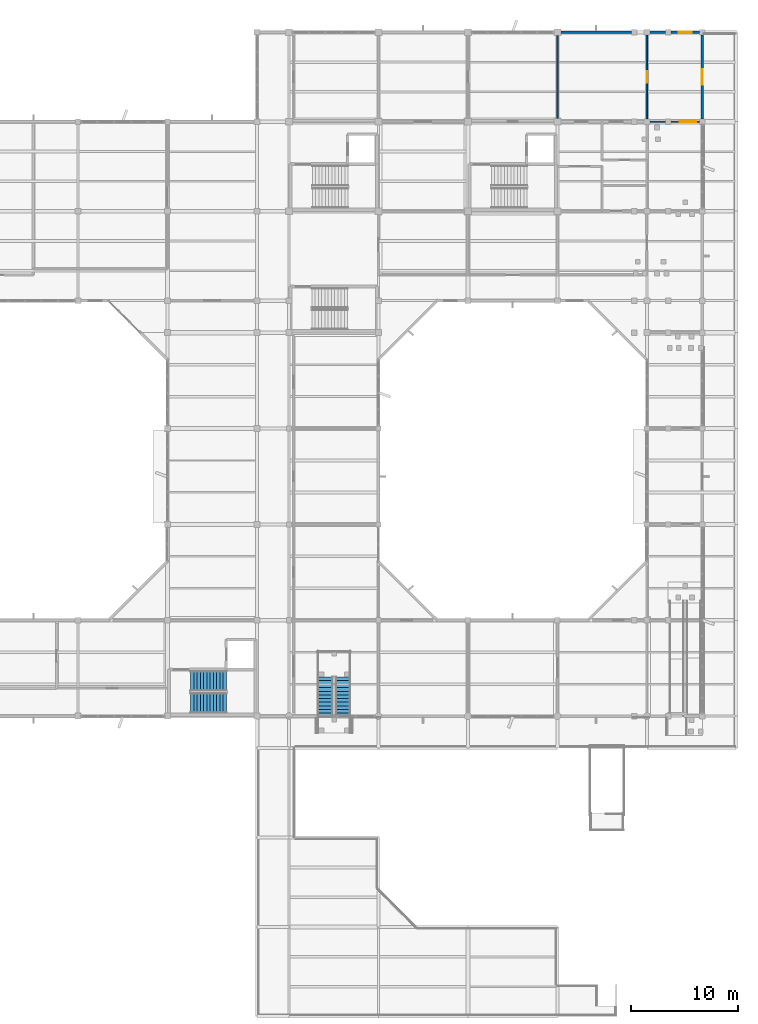
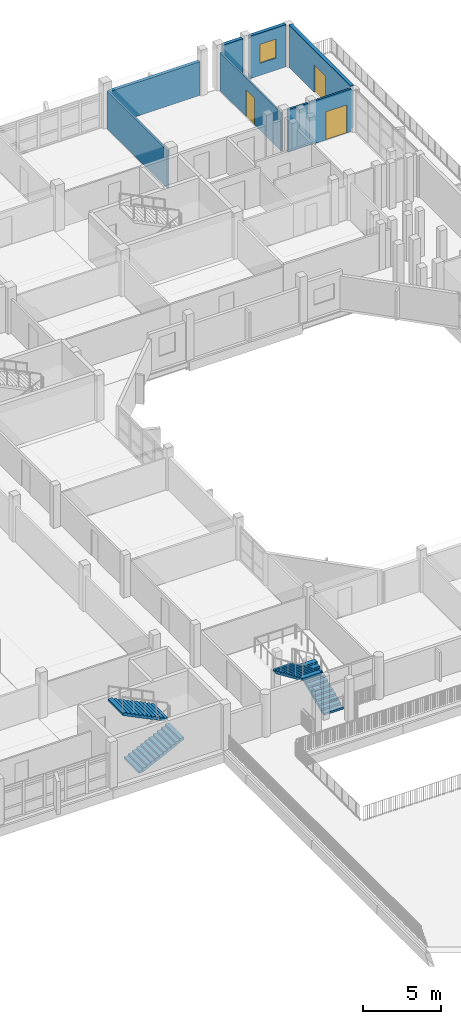
# One storey, part 34 of 51: 7 walls, 4 stair flights, 3 doors, 1 window, 4 openings, 2 elements without a shape of their own.
"""IFC4 building model written with IfcOpenShell, lengths in metres."""

import ifcopenshell
import ifcopenshell.guid

model = None  # the IFC model being written
_history = None  # IfcOwnerHistory: only IFC2X3 demands one
_inside = {}  # id of a spatial element -> (the spatial element, [elements in it])
_under = {}  # id of a project, library or spatial element -> (it, [spatial elements below it])
_declared = {}  # id of a project -> (the project, [libraries it declares])
_typed = {}  # id of a type object -> (the type object, [elements of that type])
_made_of = {}  # id of a material, layer set ... -> (it, [elements and type objects made of it])


def new_model(schema):
    """Start an empty IFC model of exactly this schema.

    Asked for "IFC4X3", IfcOpenShell would pick the latest addendum, in which some entities
    have other attributes; the version numbers below select the first issue.
    IFC2X3 requires an IfcOwnerHistory on every rooted entity: one is made here for all.
    """
    global model, _history
    if schema == "IFC4X3":
        model = ifcopenshell.file(schema_version=(4, 3, 0, 0))
    else:
        model = ifcopenshell.file(schema=schema)
    _inside.clear()
    _under.clear()
    _declared.clear()
    _typed.clear()
    _made_of.clear()
    _history = None
    if model.schema == "IFC2X3":
        org = make("IfcOrganization", Name="unknown")
        user = make(
            "IfcPersonAndOrganization",
            ThePerson=make("IfcPerson", FamilyName="unknown"),
            TheOrganization=org,
        )
        app = make(
            "IfcApplication",
            ApplicationDeveloper=org,
            Version="unknown",
            ApplicationFullName="unknown",
            ApplicationIdentifier="unknown",
        )
        _history = make(
            "IfcOwnerHistory",
            OwningUser=user,
            OwningApplication=app,
            ChangeAction="ADDED",
            CreationDate=0,
        )
    return model


def make(cls, **values):
    """One entity of the class cls with the attributes given. An attribute that is None is left unset."""
    return model.create_entity(
        cls, **{name: value for name, value in values.items() if value is not None}
    )


def rooted(cls, **values):
    """An entity with a GlobalId (a new one), such as an element, a storey or a relation."""
    return make(cls, GlobalId=ifcopenshell.guid.new(), OwnerHistory=_history, **values)


def si_unit(unit_type, name, prefix=None):
    """IfcSIUnit, for example si_unit("LENGTHUNIT", "METRE", prefix="MILLI")."""
    return make("IfcSIUnit", UnitType=unit_type, Prefix=prefix, Name=name)


def assignment(units):
    """IfcUnitAssignment: the units of a project."""
    return None if units is None else make("IfcUnitAssignment", Units=units)


def point(xyz):
    """IfcCartesianPoint."""
    return None if xyz is None else make("IfcCartesianPoint", Coordinates=xyz)


def direction(xyz):
    """IfcDirection."""
    return None if xyz is None else make("IfcDirection", DirectionRatios=xyz)


def frame(location, z_axis=None, x_axis=None):
    """IfcAxis2Placement3D, a coordinate frame: its origin and axes. An axis left out is left unset."""
    return make(
        "IfcAxis2Placement3D",
        Location=point(location),
        Axis=direction(z_axis),
        RefDirection=direction(x_axis),
    )


def frame_2d(location, x_axis=None):
    """IfcAxis2Placement2D, a coordinate frame in the plane: its origin and x axis."""
    return make(
        "IfcAxis2Placement2D", Location=point(location), RefDirection=direction(x_axis)
    )


def origin():
    """The frame at (0, 0, 0) with its axes left unset."""
    return frame((0.0, 0.0, 0.0))


def place(relative_to, where):
    """IfcLocalPlacement: puts the frame where relative to a parent placement (None: the world)."""
    return make(
        "IfcLocalPlacement", PlacementRelTo=relative_to, RelativePlacement=where
    )


def context(
    kind, dimensions, precision=None, world=None, true_north=None, identifier=None
):
    """IfcGeometricRepresentationContext, for example the 3D "Model" context."""
    return make(
        "IfcGeometricRepresentationContext",
        ContextIdentifier=identifier,
        ContextType=kind,
        CoordinateSpaceDimension=dimensions,
        Precision=precision,
        WorldCoordinateSystem=world,
        TrueNorth=true_north,
    )


def subcontext(parent, identifier, kind, view, scale=None):
    """IfcGeometricRepresentationSubContext, for example "Body" below "Model"."""
    return make(
        "IfcGeometricRepresentationSubContext",
        ContextIdentifier=identifier,
        ContextType=kind,
        ParentContext=parent,
        TargetScale=scale,
        TargetView=view,
    )


def project(units=None, contexts=None):
    """IfcProject with its units and contexts."""
    return rooted(
        "IfcProject",
        Name="project",
        RepresentationContexts=contexts,
        UnitsInContext=assignment(units),
    )


def spatial(cls, under=None, at=None, **own):
    """A site, building, storey or space (cls), placed at a placement, below another one or the project."""
    s = rooted(cls, ObjectPlacement=at, **own)
    if under is not None:
        _under.setdefault(under.id(), (under, []))[1].append(s)
    return s


def polyline(points):
    """IfcPolyline through the points."""
    return make("IfcPolyline", Points=[point(p) for p in points])


def profile(cls, at=None, kind="AREA", **sizes):
    """A parametric profile (cls). Its sizes go by their IFC names, for example OverallWidth=200.0."""
    return make(cls, ProfileType=kind, Position=at, **sizes)


def rectangle(**sizes):
    """IfcRectangleProfileDef."""
    return profile("IfcRectangleProfileDef", **sizes)


def outline(outer, holes=None, kind="AREA"):
    """IfcArbitraryClosedProfileDef: a profile drawn as a closed curve; with holes, ...WithVoids."""
    if holes is None:
        return make("IfcArbitraryClosedProfileDef", ProfileType=kind, OuterCurve=outer)
    return make(
        "IfcArbitraryProfileDefWithVoids",
        ProfileType=kind,
        OuterCurve=outer,
        InnerCurves=holes,
    )


def extrude(swept, where, along, depth):
    """IfcExtrudedAreaSolid: the profile swept, set in the frame where, extruded along a direction by depth."""
    return make(
        "IfcExtrudedAreaSolid",
        SweptArea=swept,
        Position=where,
        ExtrudedDirection=direction(along),
        Depth=depth,
    )


def shape(context_of_items, identifier, shape_type, items):
    """IfcShapeRepresentation: the items that make up one representation, for example the "Body"."""
    return make(
        "IfcShapeRepresentation",
        ContextOfItems=context_of_items,
        RepresentationIdentifier=identifier,
        RepresentationType=shape_type,
        Items=items,
    )


def material(Name=None, Category=None):
    """IfcMaterial."""
    return make("IfcMaterial", Name=Name, Category=Category)


def layer(
    of_material, thickness, ventilated=None, Name=None, Category=None, Priority=None
):
    """IfcMaterialLayer: one layer of a wall or slab, of a material (None: an air gap)."""
    return make(
        "IfcMaterialLayer",
        Material=of_material,
        LayerThickness=thickness,
        IsVentilated=ventilated,
        Name=Name,
        Category=Category,
        Priority=Priority,
    )


def layer_set(layers, Name=None):
    """IfcMaterialLayerSet."""
    return make("IfcMaterialLayerSet", MaterialLayers=layers, LayerSetName=Name)


def made_of(thing, what):
    """Note that an element or type object is made of a material, layer set ...; save() writes the relation."""
    if what is not None:
        _made_of.setdefault(what.id(), (what, []))[1].append(thing)
    return thing


def type_object(cls, material=None, **own):
    """A type object (cls), such as IfcWallType, which elements share."""
    return made_of(rooted(cls, **own), material)


def element(
    cls,
    number,
    at=None,
    inside=None,
    cuts=None,
    type_object=None,
    material=None,
    context=None,
    identifier="Body",
    shape_type=None,
    held_by="IfcProductDefinitionShape",
    body=None,
    shapes=None,
    **own,
):
    """One element of the class cls, such as IfcWall. Its Tag is "e" and its number.

    at: its placement. inside: the storey or other place that contains it. cuts: it is an
    opening in that element (IfcRelVoidsElement). A single representation is given by context,
    identifier, shape_type and body (its items); several are given by shapes. held_by: the class
    of the entity that holds the representations. save() writes the other relations.
    """
    e = rooted(cls, Tag="e%d" % number, ObjectPlacement=at, **own)
    if body is not None:
        shapes = [shape(context, identifier, shape_type, body)]
    if shapes is not None:
        e.Representation = make(held_by, Representations=shapes)
    if inside is not None:
        _inside.setdefault(inside.id(), (inside, []))[1].append(e)
    if cuts is not None:
        rooted(
            "IfcRelVoidsElement", RelatingBuildingElement=cuts, RelatedOpeningElement=e
        )
    if type_object is not None:
        _typed.setdefault(type_object.id(), (type_object, []))[1].append(e)
    return made_of(e, material)


def fill(opening, filler):
    """IfcRelFillsElement: the door or window that sits in an opening."""
    return rooted(
        "IfcRelFillsElement",
        RelatingOpeningElement=opening,
        RelatedBuildingElement=filler,
    )


def aggregate(whole, parts):
    """IfcRelAggregates: a whole, such as a stair, and the parts it consists of."""
    return rooted("IfcRelAggregates", RelatingObject=whole, RelatedObjects=parts)


def save(model, path):
    """Write the relations noted so far, then the file.

    IfcRelAggregates (storeys below a building ...), IfcRelContainedInSpatialStructure (elements
    in a storey), IfcRelDefinesByType, IfcRelAssociatesMaterial and IfcRelDeclares: one each for
    every whole, place, type object, material and project.
    """
    for whole, parts in _under.values():
        aggregate(whole, parts)
    for where, things in _inside.values():
        rooted(
            "IfcRelContainedInSpatialStructure",
            RelatedElements=things,
            RelatingStructure=where,
        )
    for kind, things in _typed.values():
        rooted("IfcRelDefinesByType", RelatedObjects=things, RelatingType=kind)
    for what, things in _made_of.values():
        rooted("IfcRelAssociatesMaterial", RelatedObjects=things, RelatingMaterial=what)
    for by, libraries in _declared.values():
        rooted("IfcRelDeclares", RelatingContext=by, RelatedDefinitions=libraries)
    model.write(path)


model = new_model("IFC4")

# Units and contexts
model_context = context("Model", 3, precision=1e-05, world=origin(), true_north=direction((0.0, 1.0)))
body_context = subcontext(model_context, "Body", "Model", "MODEL_VIEW")
ifc_project = project(units=[si_unit("LENGTHUNIT", "METRE"), si_unit("AREAUNIT", "SQUARE_METRE"), si_unit("VOLUMEUNIT", "CUBIC_METRE"), si_unit("PLANEANGLEUNIT", "RADIAN"), si_unit("MASSUNIT", "GRAM", prefix="KILO")], contexts=[model_context])

# Site, building, storey
site_placement = place(None, origin())
site = spatial("IfcSite", under=ifc_project, at=site_placement, CompositionType="ELEMENT")
building_placement = place(site_placement, origin())
building = spatial("IfcBuilding", under=site, at=building_placement, Name="Vanh Quang Courtyard School", CompositionType="ELEMENT")
storey_placement = place(building_placement, frame((0.0, 0.0, 11.39990234375)))
storey = spatial("IfcBuildingStorey", under=building, at=storey_placement, Name="L03", CompositionType="ELEMENT", Elevation=11.39990234375)

# Walls
ifc_material_1 = material(Name="Precast concrete C40/50", Category="concrete")
ifc_layer_1 = layer(ifc_material_1, 0.239990234375)
ifc_layer_set_1 = layer_set([ifc_layer_1], Name="Precast concrete C40/50")
wall_type_1 = type_object("IfcWallType", Name="W-EXT-240", PredefinedType="SOLIDWALL", material=ifc_layer_set_1)
wall_1_placement = place(storey_placement, frame((102.923095703125, 96.60009765625, 0.0), z_axis=(0.0, 0.0, 1.0), x_axis=(1.0, 0.0, 0.0)))
element("IfcWall", 1, at=wall_1_placement, inside=storey, type_object=wall_type_1, Name="Wall WE-03 (L03)", PredefinedType="SOLIDWALL", context=body_context, shape_type="SweptSolid", body=[
    extrude(rectangle(XDim=6.62890625, YDim=0.239990234375, at=frame_2d((3.314453125, 0.0))), origin(), (0.0, 0.0, 1.0), 2.64013671875),
])
wall_2_placement = place(storey_placement, frame((111.27294921875, 96.60009765625, 0.0), z_axis=(0.0, 0.0, 1.0), x_axis=(1.0, 0.0, 0.0)))
element("IfcWall", 2, at=wall_2_placement, inside=storey, type_object=wall_type_1, Name="Wall WE-03 (L03)", PredefinedType="SOLIDWALL", context=body_context, shape_type="SweptSolid", body=[
    extrude(rectangle(XDim=1.47900390625, YDim=0.239990234375, at=frame_2d((0.739501953125, 0.0))), origin(), (0.0, 0.0, 1.0), 3.340087890625),
])

# Wall, opening, window
wall_3_placement = place(storey_placement, frame((113.248046875, 96.60009765625, 0.0), z_axis=(0.0, 0.0, 1.0), x_axis=(1.0, 0.0, 0.0)))
wall_3 = element("IfcWall", 3, at=wall_3_placement, inside=storey, type_object=wall_type_1, Name="Wall WE-03 (L03)", PredefinedType="SOLIDWALL", context=body_context, shape_type="SweptSolid", body=[
    extrude(rectangle(XDim=2.703857421875, YDim=0.239990234375, at=frame_2d((1.35205078125, 0.0))), origin(), (0.0, 0.0, 1.0), 3.340087890625),
])
opening_1_placement = place(wall_3_placement, frame((0.751953125, 0.0, 0.949951171875)))
opening_1 = element("IfcOpeningElement", 4, at=opening_1_placement, cuts=wall_3, Name="Opening WN-10", PredefinedType="OPENING", context=body_context, shape_type="SweptSolid", body=[
    extrude(rectangle(XDim=1.199951171875, YDim=1.5, at=frame_2d((0.60009765625, 0.75))), frame((0.0, 0.1298828125, 0.0), z_axis=(0.0, -1.0, 0.0), x_axis=(1.0, 0.0, 0.0)), (0.0, 0.0, 1.0), 0.260009765625),
])
ifc_material_2 = material(Name="Anodised aluminium and low-E double glazing", Category="aluminium")
window_type = type_object("IfcWindowType", Name="WIN-TYP-10", PartitioningType="SINGLE_PANEL", PredefinedType="WINDOW", material=ifc_material_2)
window_placement = place(opening_1_placement, origin())
window = element("IfcWindow", 5, at=window_placement, inside=storey, type_object=window_type, Name="Window WN-10 (L03)", OverallHeight=1.5, OverallWidth=1.199951171875, PartitioningType="SINGLE_PANEL", PredefinedType="WINDOW", context=body_context, shape_type="SweptSolid", body=[
    extrude(rectangle(XDim=1.199951171875, YDim=1.5, at=frame_2d((0.60009765625, 0.75))), frame((0.0, 0.030029296875, 0.0), z_axis=(0.0, -1.0, 0.0), x_axis=(1.0, 0.0, 0.0)), (0.0, 0.0, 1.0), 0.06005859375),
])
fill(opening_1, window)

# Wall, opening, door
wall_4_placement = place(storey_placement, frame((116.199951171875, 96.35205078125, 0.0), z_axis=(0.0, 0.0, 1.0), x_axis=(0.0, -1.0, 0.0)))
wall_4 = element("IfcWall", 6, at=wall_4_placement, inside=storey, type_object=wall_type_1, Name="Wall WE-03 (L03)", PredefinedType="SOLIDWALL", context=body_context, shape_type="SweptSolid", body=[
    extrude(rectangle(XDim=7.904052734375, YDim=0.239990234375, at=frame_2d((3.9521484375, 0.0))), origin(), (0.0, 0.0, 1.0), 3.340087890625),
])
opening_2_placement = place(wall_4_placement, frame((3.201904296875, 0.0, 0.0)))
opening_2 = element("IfcOpeningElement", 7, at=opening_2_placement, cuts=wall_4, Name="Opening L03-PD054", PredefinedType="OPENING", context=body_context, shape_type="SweptSolid", body=[
    extrude(rectangle(XDim=1.5, YDim=2.14990234375, at=frame_2d((0.75, 1.074951171875))), frame((0.0, 0.1298828125, 0.0), z_axis=(0.0, -1.0, 0.0), x_axis=(1.0, 0.0, 0.0)), (0.0, 0.0, 1.0), 0.260009765625),
])
ifc_material_3 = material(Name="Thermally broken aluminium and laminated safety glass", Category="aluminium")
door_type_1 = type_object("IfcDoorType", Name="EDR-TYP-05", OperationType="NOTDEFINED", PredefinedType="DOOR", material=ifc_material_3)
door_1_placement = place(opening_2_placement, origin())
door_1 = element("IfcDoor", 8, at=door_1_placement, inside=storey, type_object=door_type_1, Name="Door L03-PD054 (L03)", OperationType="SINGLE_SWING_LEFT", OverallHeight=2.14990234375, OverallWidth=1.5, PredefinedType="DOOR", context=body_context, shape_type="SweptSolid", body=[
    extrude(rectangle(XDim=1.5, YDim=2.14990234375, at=frame_2d((0.75, 1.074951171875))), frame((0.0, 0.02490234375, 0.0), z_axis=(0.0, -1.0, 0.0), x_axis=(1.0, 0.0, 0.0)), (0.0, 0.0, 1.0), 0.050048828125),
])
fill(opening_2, door_1)

ifc_material_4 = material(Name="Acoustic gypsum stud partition", Category="gypsum")
ifc_layer_2 = layer(ifc_material_4, 0.1201171875)
ifc_layer_set_2 = layer_set([ifc_layer_2], Name="Acoustic gypsum stud partition")
wall_type_2 = type_object("IfcWallType", Name="W-PART-120", PredefinedType="PARTITIONING", material=ifc_layer_set_2)
wall_5_placement = place(storey_placement, frame((111.0, 96.326904296875, 0.0), z_axis=(0.0, 0.0, 1.0), x_axis=(0.0, -1.0, 0.0)))
wall_5 = element("IfcWall", 9, at=wall_5_placement, inside=storey, type_object=wall_type_2, Name="Wall W-PRT2 (L03)", PredefinedType="PARTITIONING", context=body_context, shape_type="SweptSolid", body=[
    extrude(rectangle(XDim=7.85400390625, YDim=0.1201171875, at=frame_2d((3.927001953125, 0.0))), origin(), (0.0, 0.0, 1.0), 2.97998046875),
])
opening_3_placement = place(wall_5_placement, frame((3.376953125, 0.0, 0.0)))
opening_3 = element("IfcOpeningElement", 10, at=opening_3_placement, cuts=wall_5, Name="Opening L03-D152", PredefinedType="OPENING", context=body_context, shape_type="SweptSolid", body=[
    extrude(rectangle(XDim=1.10009765625, YDim=2.10009765625, at=frame_2d((0.550048828125, 1.050048828125))), frame((0.0, 0.070068359375, 0.0), z_axis=(0.0, -1.0, 0.0), x_axis=(1.0, 0.0, 0.0)), (0.0, 0.0, 1.0), 0.14013671875),
])
ifc_material_5 = material(Name="Solid-core hardwood acoustic door", Category="wood")
door_type_2 = type_object("IfcDoorType", Name="IDR-CLS-1100x2100", OperationType="NOTDEFINED", PredefinedType="DOOR", material=ifc_material_5)
door_2_placement = place(opening_3_placement, origin())
door_2 = element("IfcDoor", 11, at=door_2_placement, inside=storey, type_object=door_type_2, Name="Door L03-D152 (L03)", OperationType="SINGLE_SWING_LEFT", OverallHeight=2.10009765625, OverallWidth=1.10009765625, PredefinedType="DOOR", context=body_context, shape_type="SweptSolid", body=[
    extrude(rectangle(XDim=1.10009765625, YDim=2.10009765625, at=frame_2d((0.550048828125, 1.050048828125))), frame((0.0, 0.02490234375, 0.0), z_axis=(0.0, -1.0, 0.0), x_axis=(1.0, 0.0, 0.0)), (0.0, 0.0, 1.0), 0.050048828125),
])
fill(opening_3, door_2)

# Wall
ifc_material_6 = material(Name="Autoclaved aerated masonry blockwork", Category="masonry")
ifc_layer_3 = layer(ifc_material_6, 0.14990234375)
ifc_layer_set_3 = layer_set([ifc_layer_3], Name="Autoclaved aerated masonry blockwork")
wall_type_3 = type_object("IfcWallType", Name="W-PART-150", PredefinedType="PARTITIONING", material=ifc_layer_set_3)
wall_6_placement = place(storey_placement, frame((102.60009765625, 96.277099609375, 0.0), z_axis=(0.0, 0.0, 1.0), x_axis=(0.0, -1.0, 0.0)))
element("IfcWall", 12, at=wall_6_placement, inside=storey, type_object=wall_type_3, Name="Wall W-PRT1 (L03)", PredefinedType="PARTITIONING", context=body_context, shape_type="SweptSolid", body=[
    extrude(rectangle(XDim=7.754150390625, YDim=0.14990234375, at=frame_2d((3.876953125, 0.0))), origin(), (0.0, 0.0, 1.0), 2.940185546875),
])

# Wall, opening, door
wall_7_placement = place(storey_placement, frame((111.27294921875, 88.199951171875, 0.0), z_axis=(0.0, 0.0, 1.0), x_axis=(1.0, 0.0, 0.0)))
wall_7 = element("IfcWall", 13, at=wall_7_placement, inside=storey, type_object=wall_type_3, Name="Wall W-PRT1 (L03)", PredefinedType="PARTITIONING", context=body_context, shape_type="SweptSolid", body=[
    extrude(rectangle(XDim=4.678955078125, YDim=0.14990234375, at=frame_2d((2.33935546875, 0.0))), origin(), (0.0, 0.0, 1.0), 3.340087890625),
])
opening_4_placement = place(wall_7_placement, frame((2.814453125, 0.0, 0.0)))
opening_4 = element("IfcOpeningElement", 14, at=opening_4_placement, cuts=wall_7, Name="Opening L03-D155", PredefinedType="OPENING", context=body_context, shape_type="SweptSolid", body=[
    extrude(rectangle(XDim=1.550048828125, YDim=2.199951171875, at=frame_2d((0.77490234375, 1.10009765625))), frame((0.0, 0.0849609375, 0.0), z_axis=(0.0, -1.0, 0.0), x_axis=(1.0, 0.0, 0.0)), (0.0, 0.0, 1.0), 0.169921875),
])
ifc_material_7 = material(Name="Painted galvanised steel fire door", Category="steel")
door_type_3 = type_object("IfcDoorType", Name="IDR-KIT-1550x2200", OperationType="NOTDEFINED", PredefinedType="DOOR", material=ifc_material_7)
door_3_placement = place(opening_4_placement, origin())
door_3 = element("IfcDoor", 15, at=door_3_placement, inside=storey, type_object=door_type_3, Name="Door L03-D155 (L03)", OperationType="DOUBLE_DOOR_SINGLE_SWING", OverallHeight=2.199951171875, OverallWidth=1.550048828125, PredefinedType="DOOR", context=body_context, shape_type="SweptSolid", body=[
    extrude(rectangle(XDim=1.550048828125, YDim=2.199951171875, at=frame_2d((0.77490234375, 1.10009765625))), frame((0.0, 0.02490234375, 0.0), z_axis=(0.0, -1.0, 0.0), x_axis=(1.0, 0.0, 0.0)), (0.0, 0.0, 1.0), 0.050048828125),
])
fill(opening_4, door_3)

# Stair, stair flights
ifc_material_8 = material(Name="Concrete C30/37", Category="concrete")
stair_type_1 = type_object("IfcStairType", Name="STR-CORE-1450", PredefinedType="HALF_TURN_STAIR", material=ifc_material_8)
stair_1_placement = place(storey_placement, origin())
stair_1 = element("IfcStair", 16, at=stair_1_placement, inside=storey, type_object=stair_type_1, Name="L03 ST-T4", PredefinedType="HALF_TURN_STAIR")
stair_flight_type_1 = type_object("IfcStairFlightType", Name="FLT-CORE-1450", PredefinedType="STRAIGHT", material=ifc_material_8)
stair_flight_1_placement = place(storey_placement, frame((82.47509765625, 32.35009765625, 0.0), z_axis=(0.0, 0.0, 1.0), x_axis=(0.0, 1.0, 0.0)))
stair_flight_1 = element("IfcStairFlight", 17, at=stair_flight_1_placement, type_object=stair_flight_type_1, Name="ST-T4 flight 1", NumberOfRisers=12, NumberOfTreads=11, PredefinedType="STRAIGHT", RiserHeight=0.15, TreadLength=0.34, context=body_context, shape_type="SweptSolid", body=[
    extrude(outline(polyline([(0.0, 0.0), (0.0, 0.14990234375), (0.340087890625, 0.14990234375), (0.340087890625, 0.300048828125), (0.679931640625, 0.300048828125), (0.679931640625, 0.449951171875), (1.02001953125, 0.449951171875), (1.02001953125, 0.60009765625), (1.360107421875, 0.60009765625), (1.360107421875, 0.75), (1.699951171875, 0.75), (1.699951171875, 0.89990234375), (2.0400390625, 0.89990234375), (2.0400390625, 1.050048828125), (2.3798828125, 1.050048828125), (2.3798828125, 1.199951171875), (2.719970703125, 1.199951171875), (2.719970703125, 1.35009765625), (3.06005859375, 1.35009765625), (3.06005859375, 1.5), (3.39990234375, 1.5), (3.39990234375, 1.64990234375), (3.739990234375, 1.64990234375), (3.739990234375, 1.800048828125), (3.739990234375, 1.486083984375), (0.371337890625, 0.0), (0.0, 0.0)])), frame((0.0, 0.72509765625, 0.0), z_axis=(0.0, -1.0, 0.0), x_axis=(1.0, 0.0, 0.0)), (0.0, 0.0, 1.0), 1.449951171875),
])
stair_flight_2_placement = place(storey_placement, frame((80.824951171875, 36.090087890625, 1.800048828125), z_axis=(0.0, 0.0, 1.0), x_axis=(0.0, -1.0, 0.0)))
stair_flight_2 = element("IfcStairFlight", 18, at=stair_flight_2_placement, type_object=stair_flight_type_1, Name="ST-T4 flight 2", NumberOfRisers=12, NumberOfTreads=11, PredefinedType="STRAIGHT", RiserHeight=0.15, TreadLength=0.34, context=body_context, shape_type="SweptSolid", body=[
    extrude(outline(polyline([(0.0, 0.0), (0.0, 0.14990234375), (0.340087890625, 0.14990234375), (0.340087890625, 0.300048828125), (0.679931640625, 0.300048828125), (0.679931640625, 0.449951171875), (1.02001953125, 0.449951171875), (1.02001953125, 0.60009765625), (1.360107421875, 0.60009765625), (1.360107421875, 0.75), (1.699951171875, 0.75), (1.699951171875, 0.89990234375), (2.0400390625, 0.89990234375), (2.0400390625, 1.050048828125), (2.3798828125, 1.050048828125), (2.3798828125, 1.199951171875), (2.719970703125, 1.199951171875), (2.719970703125, 1.35009765625), (3.06005859375, 1.35009765625), (3.06005859375, 1.5), (3.39990234375, 1.5), (3.39990234375, 1.64990234375), (3.739990234375, 1.64990234375), (3.739990234375, 1.800048828125), (3.739990234375, 1.486083984375), (0.371337890625, 0.0), (0.0, 0.0)])), frame((0.0, 0.72509765625, 0.0), z_axis=(0.0, -1.0, 0.0), x_axis=(1.0, 0.0, 0.0)), (0.0, 0.0, 1.0), 1.449951171875),
])
aggregate(stair_1, [stair_flight_1, stair_flight_2])

stair_type_2 = type_object("IfcStairType", Name="STR-CORE-1900", PredefinedType="HALF_TURN_STAIR", material=ifc_material_8)
stair_2_placement = place(storey_placement, origin())
stair_2 = element("IfcStair", 19, at=stair_2_placement, inside=storey, type_object=stair_type_2, Name="L03 ST-04", PredefinedType="HALF_TURN_STAIR")
stair_flight_type_2 = type_object("IfcStairFlightType", Name="FLT-CORE-1900", PredefinedType="STRAIGHT", material=ifc_material_8)
stair_flight_3_placement = place(storey_placement, frame((68.179931640625, 33.6298828125, 0.0), z_axis=(0.0, 0.0, 1.0), x_axis=(1.0, 0.0, 0.0)))
stair_flight_3 = element("IfcStairFlight", 20, at=stair_flight_3_placement, type_object=stair_flight_type_2, Name="ST-04 flight 1", NumberOfRisers=12, NumberOfTreads=11, PredefinedType="STRAIGHT", RiserHeight=0.15, TreadLength=0.305, context=body_context, shape_type="SweptSolid", body=[
    extrude(outline(polyline([(0.0, 0.0), (0.0, 0.14990234375), (0.304931640625, 0.14990234375), (0.304931640625, 0.300048828125), (0.610107421875, 0.300048828125), (0.610107421875, 0.449951171875), (0.9150390625, 0.449951171875), (0.9150390625, 0.60009765625), (1.219970703125, 0.60009765625), (1.219970703125, 0.75), (1.52490234375, 0.75), (1.52490234375, 0.89990234375), (1.830078125, 0.89990234375), (1.830078125, 1.050048828125), (2.135009765625, 1.050048828125), (2.135009765625, 1.199951171875), (2.43994140625, 1.199951171875), (2.43994140625, 1.35009765625), (2.7451171875, 1.35009765625), (2.7451171875, 1.5), (3.050048828125, 1.5), (3.050048828125, 1.64990234375), (3.35498046875, 1.64990234375), (3.35498046875, 1.800048828125), (3.35498046875, 1.48291015625), (0.339599609375, 0.0), (0.0, 0.0)])), frame((0.0, 0.949951171875, 0.0), z_axis=(0.0, -1.0, 0.0), x_axis=(1.0, 0.0, 0.0)), (0.0, 0.0, 1.0), 1.89990234375),
])
stair_flight_4_placement = place(storey_placement, frame((71.534912109375, 35.68994140625, 1.800048828125), z_axis=(0.0, 0.0, 1.0), x_axis=(-1.0, 0.0, 0.0)))
stair_flight_4 = element("IfcStairFlight", 21, at=stair_flight_4_placement, type_object=stair_flight_type_2, Name="ST-04 flight 2", NumberOfRisers=12, NumberOfTreads=11, PredefinedType="STRAIGHT", RiserHeight=0.15, TreadLength=0.305, context=body_context, shape_type="SweptSolid", body=[
    extrude(outline(polyline([(0.0, 0.0), (0.0, 0.14990234375), (0.304931640625, 0.14990234375), (0.304931640625, 0.300048828125), (0.610107421875, 0.300048828125), (0.610107421875, 0.449951171875), (0.9150390625, 0.449951171875), (0.9150390625, 0.60009765625), (1.219970703125, 0.60009765625), (1.219970703125, 0.75), (1.52490234375, 0.75), (1.52490234375, 0.89990234375), (1.830078125, 0.89990234375), (1.830078125, 1.050048828125), (2.135009765625, 1.050048828125), (2.135009765625, 1.199951171875), (2.43994140625, 1.199951171875), (2.43994140625, 1.35009765625), (2.7451171875, 1.35009765625), (2.7451171875, 1.5), (3.050048828125, 1.5), (3.050048828125, 1.64990234375), (3.35498046875, 1.64990234375), (3.35498046875, 1.800048828125), (3.35498046875, 1.48291015625), (0.339599609375, 0.0), (0.0, 0.0)])), frame((0.0, 0.949951171875, 0.0), z_axis=(0.0, -1.0, 0.0), x_axis=(1.0, 0.0, 0.0)), (0.0, 0.0, 1.0), 1.89990234375),
])
aggregate(stair_2, [stair_flight_3, stair_flight_4])

save(model, "model.ifc")
